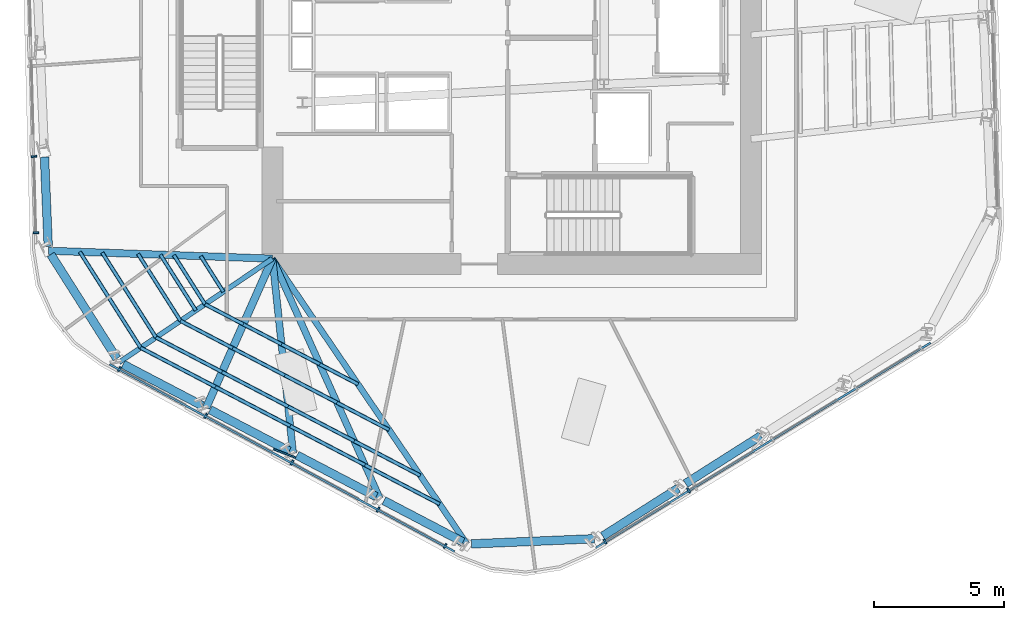
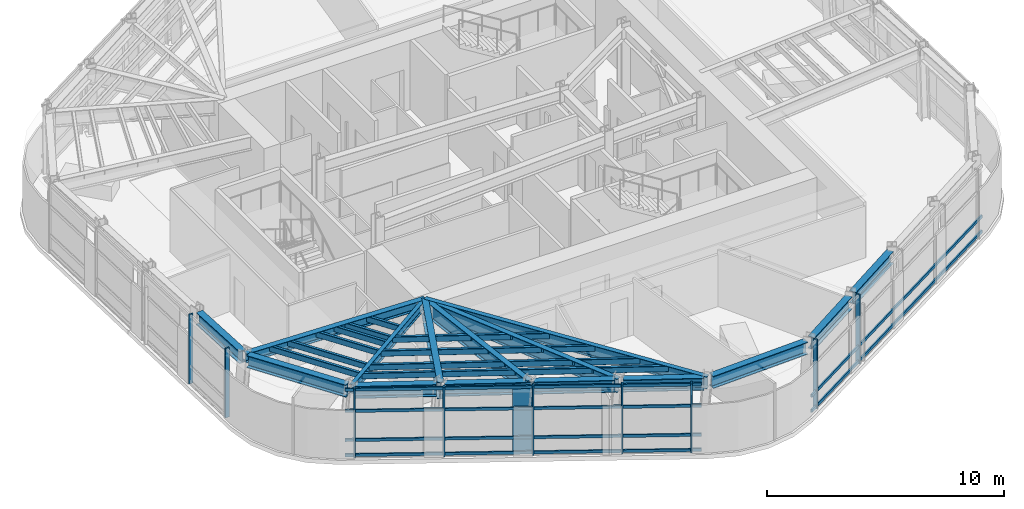
# One storey, part 2 of 15: 38 members, 15 beams, 3 elements without a shape of their own.
"""IFC4 building model written with IfcOpenShell, lengths in metres."""

from ifc_helpers import new_model, si_unit, direction, frame, origin, origin_2d, place, context, subcontext, project, spatial, rectangle, hollow_rectangle, i_section, extrude, material, layer, layer_set, material_profile, profile_set, type_object, element, aggregate, save


model = new_model("IFC4")

# Units and contexts
model_context = context("Model", 3, precision=1e-05, world=origin(), true_north=direction((0.0, 1.0)))
body_context = subcontext(model_context, "Body", "Model", "MODEL_VIEW")
ifc_project = project(units=[si_unit("LENGTHUNIT", "METRE"), si_unit("AREAUNIT", "SQUARE_METRE"), si_unit("VOLUMEUNIT", "CUBIC_METRE"), si_unit("PLANEANGLEUNIT", "RADIAN"), si_unit("MASSUNIT", "GRAM", prefix="KILO")], contexts=[model_context])

# Site, building, storey
site_placement = place(None, origin())
site = spatial("IfcSite", under=ifc_project, at=site_placement, CompositionType="ELEMENT")
building_placement = place(site_placement, origin())
building = spatial("IfcBuilding", under=site, at=building_placement, Name="Valkerne Bourse Tower", CompositionType="ELEMENT")
storey_placement = place(building_placement, frame((0.0, 0.0, 159.0)))
storey = spatial("IfcBuildingStorey", under=building, at=storey_placement, Name="L40", CompositionType="ELEMENT", Elevation=159.0)

# Beams
ifc_material_1 = material(Name="Steel ASTM A992", Category="steel")
ifc_material_profile_1 = material_profile(ifc_material_1, i_section(OverallWidth=0.1904296875, OverallDepth=0.457275390625, WebThickness=0.009033203125, FlangeThickness=0.014404296875, FilletRadius=0.01513671875, at=origin_2d()), Name="W18X50")
ifc_profile_set_1 = profile_set([ifc_material_profile_1], Name="Steel ASTM A992")
beam_type_1 = type_object("IfcBeamType", Name="BM-W18X50", PredefinedType="JOIST", material=ifc_profile_set_1)
beam_1_placement = place(storey_placement, frame((31.710693359375, 14.41552734375, 3.351318359375), z_axis=(0.828259510431, 0.560344700503, 0.0), x_axis=(-0.560344700503, 0.828259510431, 0.0)))
element("IfcBeam", 1, at=beam_1_placement, inside=storey, type_object=beam_type_1, Name="L40 Radial Composite Floor Beam 15", PredefinedType="JOIST", context=body_context, shape_type="SweptSolid", body=[
    extrude(i_section(OverallWidth=0.1904296875, OverallDepth=0.457275390625, WebThickness=0.009033203125, FlangeThickness=0.014404296875, FilletRadius=0.01513671875, at=origin_2d()), origin(), (0.0, 0.0, 1.0), 7.110595703125),
])
ifc_material_profile_2 = material_profile(ifc_material_1, i_section(OverallWidth=0.279296875, OverallDepth=0.46240234375, WebThickness=0.0107421875, FlangeThickness=0.017333984375, FilletRadius=0.017822265625, at=origin_2d()), Name="W18X76")
ifc_profile_set_2 = profile_set([ifc_material_profile_2], Name="Steel ASTM A992")
beam_type_2 = type_object("IfcBeamType", Name="BM-W18X76", PredefinedType="BEAM", material=ifc_profile_set_2)
beam_2_placement = place(storey_placement, frame((28.988525390625, 18.704833984375, 3.348876953125), z_axis=(0.999373671868, -0.035387342051, 0.0), x_axis=(0.035387342051, 0.999373671868, 0.0)))
element("IfcBeam", 2, at=beam_2_placement, inside=storey, type_object=beam_type_2, Name="L40 Radial Composite Floor Beam 14", PredefinedType="BEAM", context=body_context, shape_type="SweptSolid", body=[
    extrude(i_section(OverallWidth=0.279296875, OverallDepth=0.46240234375, WebThickness=0.0107421875, FlangeThickness=0.017333984375, FilletRadius=0.017822265625, at=origin_2d()), origin(), (0.0, 0.0, 1.0), 8.616943359375),
])
ifc_material_profile_3 = material_profile(ifc_material_1, i_section(OverallWidth=0.32763671875, OverallDepth=0.62744140625, WebThickness=0.0166015625, FlangeThickness=0.027587890625, FilletRadius=0.020263671875, at=origin_2d()), Name="W24X146")
ifc_profile_set_3 = profile_set([ifc_material_profile_3], Name="Steel ASTM A992")
beam_type_3 = type_object("IfcBeamType", Name="BM-W24X146", PredefinedType="SPANDREL", material=ifc_profile_set_3)
beam_3_placement = place(storey_placement, frame((28.837646484375, 22.302490234375, 3.266357421875), z_axis=(0.041914699614, -0.999121192827, 0.0), x_axis=(0.999121192827, 0.041914699614, 0.0)))
element("IfcBeam", 3, at=beam_3_placement, inside=storey, type_object=beam_type_3, Name="L40 Hexagonal Spandrel Ring Beam 13", PredefinedType="SPANDREL", context=body_context, shape_type="SweptSolid", body=[
    extrude(i_section(OverallWidth=0.32763671875, OverallDepth=0.62744140625, WebThickness=0.0166015625, FlangeThickness=0.027587890625, FilletRadius=0.020263671875, at=origin_2d()), origin(), (0.0, 0.0, 1.0), 3.4306640625),
])
beam_4_placement = place(storey_placement, frame((29.07958984375, 18.561279296875, 3.266357421875), z_axis=(0.535815260172, -0.844335245602, 0.0), x_axis=(0.844335245602, 0.535815260172, 0.0)))
element("IfcBeam", 4, at=beam_4_placement, inside=storey, type_object=beam_type_3, Name="L40 Hexagonal Spandrel Ring Beam 14", PredefinedType="SPANDREL", context=body_context, shape_type="SweptSolid", body=[
    extrude(i_section(OverallWidth=0.32763671875, OverallDepth=0.62744140625, WebThickness=0.0166015625, FlangeThickness=0.027587890625, FilletRadius=0.020263671875, at=origin_2d()), origin(), (0.0, 0.0, 1.0), 4.739990234375),
])
beam_5_placement = place(storey_placement, frame((31.861328125, 14.3369140625, 3.266357421875), z_axis=(0.88618228092, -0.463336772751, 0.0), x_axis=(0.463336772751, 0.88618228092, 0.0)))
element("IfcBeam", 5, at=beam_5_placement, inside=storey, type_object=beam_type_3, Name="L40 Hexagonal Spandrel Ring Beam 15", PredefinedType="SPANDREL", context=body_context, shape_type="SweptSolid", body=[
    extrude(i_section(OverallWidth=0.32763671875, OverallDepth=0.62744140625, WebThickness=0.0166015625, FlangeThickness=0.027587890625, FilletRadius=0.020263671875, at=origin_2d()), origin(), (0.0, 0.0, 1.0), 3.4306640625),
])
for number, where, z_axis, x_axis, name in (
    (6, (35.203125, 12.589599609375, 3.266357421875), (0.886226771893, -0.463251668944, 0.0), (0.463251668944, 0.886226771893, 0.0), "L40 Hexagonal Spandrel Ring Beam 16"),
    (7, (38.544921875, 10.842529296875, 3.266357421875), (0.886226771893, -0.463251668944, 0.0), (0.463251668944, 0.886226771893, 0.0), "L40 Hexagonal Spandrel Ring Beam 17"),
    (8, (41.886962890625, 9.095458984375, 3.266357421875), (0.886226771893, -0.463251668944, 0.0), (0.463251668944, 0.886226771893, 0.0), "L40 Hexagonal Spandrel Ring Beam 18"),
):
    element("IfcBeam", number, at=place(storey_placement, frame(where, z_axis=z_axis, x_axis=x_axis)), inside=storey, type_object=beam_type_3, Name=name, PredefinedType="SPANDREL", context=body_context, shape_type="SweptSolid", body=[
        extrude(i_section(OverallWidth=0.32763671875, OverallDepth=0.62744140625, WebThickness=0.0166015625, FlangeThickness=0.027587890625, FilletRadius=0.020263671875, at=origin_2d()), origin(), (0.0, 0.0, 1.0), 3.430908203125),
    ])
beam_6_placement = place(storey_placement, frame((45.248046875, 7.434326171875, 3.266357421875), z_axis=(0.999122866917, 0.041874775276, 0.0), x_axis=(-0.041874775276, 0.999122866917, 0.0)))
element("IfcBeam", 9, at=beam_6_placement, inside=storey, type_object=beam_type_3, Name="L40 Hexagonal Spandrel Ring Beam 19", PredefinedType="SPANDREL", context=body_context, shape_type="SweptSolid", body=[
    extrude(i_section(OverallWidth=0.32763671875, OverallDepth=0.62744140625, WebThickness=0.0166015625, FlangeThickness=0.027587890625, FilletRadius=0.020263671875, at=origin_2d()), origin(), (0.0, 0.0, 1.0), 4.739990234375),
])
for number, where, z_axis, x_axis, name in (
    (10, (50.297119140625, 7.731201171875, 3.266357421875), (0.84434056338, 0.535806880351, 0.0), (-0.535806880351, 0.84434056338, 0.0), "L40 Hexagonal Spandrel Ring Beam 20"),
    (11, (53.481201171875, 9.751708984375, 3.266357421875), (0.84434056338, 0.535806880351, 0.0), (-0.535806880351, 0.84434056338, 0.0), "L40 Hexagonal Spandrel Ring Beam 21"),
):
    element("IfcBeam", number, at=place(storey_placement, frame(where, z_axis=z_axis, x_axis=x_axis)), inside=storey, type_object=beam_type_3, Name=name, PredefinedType="SPANDREL", context=body_context, shape_type="SweptSolid", body=[
        extrude(i_section(OverallWidth=0.32763671875, OverallDepth=0.62744140625, WebThickness=0.0166015625, FlangeThickness=0.027587890625, FilletRadius=0.020263671875, at=origin_2d()), origin(), (0.0, 0.0, 1.0), 3.43115234375),
    ])
ifc_material_profile_4 = material_profile(ifc_material_1, i_section(OverallWidth=0.228271484375, OverallDepth=0.607177734375, WebThickness=0.01123046875, FlangeThickness=0.017333984375, FilletRadius=0.017822265625, at=origin_2d()), Name="W24X76")
ifc_profile_set_4 = profile_set([ifc_material_profile_4], Name="Steel ASTM A992")
beam_type_4 = type_object("IfcBeamType", Name="BM-W24X76", PredefinedType="JOIST", material=ifc_profile_set_4)
beam_7_placement = place(storey_placement, frame((45.078125, 7.42724609375, 3.276611328125), z_axis=(-0.563165658628, 0.826344020939, 0.0), x_axis=(-0.826344020939, -0.563165658628, 0.0)))
element("IfcBeam", 12, at=beam_7_placement, inside=storey, type_object=beam_type_4, Name="L40 Radial Composite Floor Beam 19", PredefinedType="JOIST", context=body_context, shape_type="SweptSolid", body=[
    extrude(i_section(OverallWidth=0.228271484375, OverallDepth=0.607177734375, WebThickness=0.01123046875, FlangeThickness=0.017333984375, FilletRadius=0.017822265625, at=origin_2d()), origin(), (0.0, 0.0, 1.0), 13.278564453125),
])
ifc_material_profile_5 = material_profile(ifc_material_1, i_section(OverallWidth=0.255859375, OverallDepth=0.693359375, WebThickness=0.014404296875, FlangeThickness=0.023681640625, FilletRadius=0.02294921875, at=origin_2d()), Name="W27X114")
ifc_profile_set_5 = profile_set([ifc_material_profile_5], Name="Steel ASTM A992")
beam_type_5 = type_object("IfcBeamType", Name="BM-W27X114", PredefinedType="BEAM", material=ifc_profile_set_5)
beam_8_placement = place(storey_placement, frame((41.736083984375, 9.17431640625, 3.2333984375), z_axis=(-0.409087104665, 0.912495337411, 0.0), x_axis=(-0.912495337411, -0.409087104665, 0.0)))
element("IfcBeam", 13, at=beam_8_placement, inside=storey, type_object=beam_type_5, Name="L40 Radial Composite Floor Beam 18", PredefinedType="BEAM", context=body_context, shape_type="SweptSolid", body=[
    extrude(i_section(OverallWidth=0.255859375, OverallDepth=0.693359375, WebThickness=0.014404296875, FlangeThickness=0.023681640625, FilletRadius=0.02294921875, at=origin_2d()), origin(), (0.0, 0.0, 1.0), 10.1103515625),
])
ifc_material_profile_6 = material_profile(ifc_material_1, i_section(OverallWidth=0.26806640625, OverallDepth=0.76953125, WebThickness=0.015625, FlangeThickness=0.025390625, FilletRadius=0.025390625, at=origin_2d()), Name="W30X132")
ifc_profile_set_6 = profile_set([ifc_material_profile_6], Name="Steel ASTM A992")
beam_type_6 = type_object("IfcBeamType", Name="BM-W30X132", PredefinedType="BEAM", material=ifc_profile_set_6)
beam_9_placement = place(storey_placement, frame((38.394287109375, 10.92138671875, 3.1953125), z_axis=(-0.105602332796, 0.994408440887, 0.0), x_axis=(-0.994408440887, -0.105602332796, 0.0)))
element("IfcBeam", 14, at=beam_9_placement, inside=storey, type_object=beam_type_6, Name="L40 Radial Composite Floor Beam 17", PredefinedType="BEAM", context=body_context, shape_type="SweptSolid", body=[
    extrude(i_section(OverallWidth=0.26806640625, OverallDepth=0.76953125, WebThickness=0.015625, FlangeThickness=0.025390625, FilletRadius=0.025390625, at=origin_2d()), origin(), (0.0, 0.0, 1.0), 7.5205078125),
])
ifc_material_profile_7 = material_profile(ifc_material_1, i_section(OverallWidth=0.2919921875, OverallDepth=0.8583984375, WebThickness=0.01708984375, FlangeThickness=0.031005859375, FilletRadius=0.025390625, at=origin_2d()), Name="W33X169")
ifc_profile_set_7 = profile_set([ifc_material_profile_7], Name="Steel ASTM A992")
beam_type_7 = type_object("IfcBeamType", Name="BM-W33X169", PredefinedType="BEAM", material=ifc_profile_set_7)
beam_10_placement = place(storey_placement, frame((35.052490234375, 12.66845703125, 3.15087890625), z_axis=(0.406178192838, 0.913793891237, 0.0), x_axis=(-0.913793891237, 0.406178192838, 0.0)))
element("IfcBeam", 15, at=beam_10_placement, inside=storey, type_object=beam_type_7, Name="L40 Radial Composite Floor Beam 16", PredefinedType="BEAM", context=body_context, shape_type="SweptSolid", body=[
    extrude(i_section(OverallWidth=0.2919921875, OverallDepth=0.8583984375, WebThickness=0.01708984375, FlangeThickness=0.031005859375, FilletRadius=0.025390625, at=origin_2d()), origin(), (0.0, 0.0, 1.0), 6.272216796875),
])

# Curtain wall, members
ifc_material_2 = material(Name="Aluminium AA 6063-T6", Category="aluminium")
ifc_layer = layer(ifc_material_2, 0.235107421875)
ifc_layer_set = layer_set([ifc_layer], Name="Aluminium AA 6063-T6")
curtain_wall_type = type_object("IfcCurtainWallType", Name="CW-03", PredefinedType="NOTDEFINED", material=ifc_layer_set)
curtain_wall_1_placement = place(storey_placement, origin())
curtain_wall_1 = element("IfcCurtainWall", 16, at=curtain_wall_1_placement, inside=storey, type_object=curtain_wall_type, Name="L40 Hexagonal Stick Curtain Wall Face 3", PredefinedType="NOTDEFINED")
ifc_material_profile_8 = material_profile(ifc_material_2, rectangle(XDim=0.074951171875, YDim=0.199951171875, at=origin_2d()), Name="CWM-75X200")
ifc_profile_set_8 = profile_set([ifc_material_profile_8], Name="Aluminium AA 6063-T6")
member_type_1 = type_object("IfcMemberType", Name="CW-MUL-220X75", PredefinedType="MULLION", material=ifc_profile_set_8)
member_1_placement = place(storey_placement, frame((28.432861328125, 22.32666015625, 0.0), z_axis=(0.0, 0.0, 1.0), x_axis=(0.026173485138, -0.999657415656, 0.0)))
member_1 = element("IfcMember", 17, at=member_1_placement, type_object=member_type_1, Name="CW-L40-F3 Jamb Mullion 03A", PredefinedType="MULLION", context=body_context, shape_type="SweptSolid", body=[
    extrude(rectangle(XDim=0.074951171875, YDim=0.199951171875, at=origin_2d()), origin(), (0.0, 0.0, 1.0), 3.580078125),
])
member_2_placement = place(storey_placement, frame((28.509521484375, 19.396728515625, 0.0), z_axis=(0.0, 0.0, 1.0), x_axis=(0.026173485138, -0.999657415656, 0.0)))
member_2 = element("IfcMember", 18, at=member_2_placement, type_object=member_type_1, Name="CW-L40-F3 Jamb Mullion 03B", PredefinedType="MULLION", context=body_context, shape_type="SweptSolid", body=[
    extrude(rectangle(XDim=0.074951171875, YDim=0.199951171875, at=origin_2d()), origin(), (0.0, 0.0, 1.0), 3.580078125),
])
aggregate(curtain_wall_1, [member_1, member_2])

curtain_wall_2_placement = place(storey_placement, origin())
curtain_wall_2 = element("IfcCurtainWall", 19, at=curtain_wall_2_placement, inside=storey, type_object=curtain_wall_type, Name="L40 Hexagonal Stick Curtain Wall Face 4", PredefinedType="NOTDEFINED")
member_3_placement = place(storey_placement, frame((31.7216796875, 14.15478515625, 0.0), z_axis=(0.0, 0.0, 1.0), x_axis=(0.878823249644, -0.477147457171, 0.0)))
member_3 = element("IfcMember", 20, at=member_3_placement, type_object=member_type_1, Name="CW-L40-F4 Jamb Mullion 00A", PredefinedType="MULLION", context=body_context, shape_type="SweptSolid", body=[
    extrude(rectangle(XDim=0.074951171875, YDim=0.199951171875, at=origin_2d()), origin(), (0.0, 0.0, 1.0), 3.580078125),
])
member_4_placement = place(storey_placement, frame((35.03564453125, 12.355712890625, 0.0), z_axis=(0.0, 0.0, 1.0), x_axis=(0.878812129585, -0.477167937831, 0.0)))
member_4 = element("IfcMember", 21, at=member_4_placement, type_object=member_type_1, Name="CW-L40-F4 Jamb Mullion 01A", PredefinedType="MULLION", context=body_context, shape_type="SweptSolid", body=[
    extrude(rectangle(XDim=0.074951171875, YDim=0.199951171875, at=origin_2d()), origin(), (0.0, 0.0, 1.0), 3.580078125),
])
member_5_placement = place(storey_placement, frame((38.349609375, 10.55615234375, 0.0), z_axis=(0.0, 0.0, 1.0), x_axis=(0.878823249644, -0.477147457171, 0.0)))
member_5 = element("IfcMember", 22, at=member_5_placement, type_object=member_type_1, Name="CW-L40-F4 Jamb Mullion 02A", PredefinedType="MULLION", context=body_context, shape_type="SweptSolid", body=[
    extrude(rectangle(XDim=0.074951171875, YDim=0.199951171875, at=origin_2d()), origin(), (0.0, 0.0, 1.0), 3.580078125),
])
member_6_placement = place(storey_placement, frame((41.663818359375, 8.7568359375, 0.0), z_axis=(0.0, 0.0, 1.0), x_axis=(0.878812129585, -0.477167937831, 0.0)))
member_6 = element("IfcMember", 23, at=member_6_placement, type_object=member_type_1, Name="CW-L40-F4 Jamb Mullion 03A", PredefinedType="MULLION", context=body_context, shape_type="SweptSolid", body=[
    extrude(rectangle(XDim=0.074951171875, YDim=0.199951171875, at=origin_2d()), origin(), (0.0, 0.0, 1.0), 3.580078125),
])
member_7_placement = place(storey_placement, frame((44.239501953125, 7.3583984375, 0.0), z_axis=(0.0, 0.0, 1.0), x_axis=(0.878812129585, -0.477167937831, 0.0)))
member_7 = element("IfcMember", 24, at=member_7_placement, type_object=member_type_1, Name="CW-L40-F4 Jamb Mullion 03B", PredefinedType="MULLION", context=body_context, shape_type="SweptSolid", body=[
    extrude(rectangle(XDim=0.074951171875, YDim=0.199951171875, at=origin_2d()), origin(), (0.0, 0.0, 1.0), 3.580078125),
])

curtain_wall_3_placement = place(storey_placement, origin())
curtain_wall_3 = element("IfcCurtainWall", 25, at=curtain_wall_3_placement, inside=storey, type_object=curtain_wall_type, Name="L40 Hexagonal Stick Curtain Wall Face 5", PredefinedType="NOTDEFINED")
member_8_placement = place(storey_placement, frame((50.385009765625, 7.519287109375, 0.0), z_axis=(0.0, 0.0, 1.0), x_axis=(0.852644697846, 0.522491166657, 0.0)))
member_8 = element("IfcMember", 26, at=member_8_placement, type_object=member_type_1, Name="CW-L40-F5 Jamb Mullion 00A", PredefinedType="MULLION", context=body_context, shape_type="SweptSolid", body=[
    extrude(rectangle(XDim=0.074951171875, YDim=0.199951171875, at=origin_2d()), origin(), (0.0, 0.0, 1.0), 3.580078125),
])
member_9_placement = place(storey_placement, frame((53.600341796875, 9.489501953125, 0.0), z_axis=(0.0, 0.0, 1.0), x_axis=(0.85263288388, 0.522510445184, 0.0)))
member_9 = element("IfcMember", 27, at=member_9_placement, type_object=member_type_1, Name="CW-L40-F5 Jamb Mullion 01A", PredefinedType="MULLION", context=body_context, shape_type="SweptSolid", body=[
    extrude(rectangle(XDim=0.074951171875, YDim=0.199951171875, at=origin_2d()), origin(), (0.0, 0.0, 1.0), 3.580078125),
])

# Member
ifc_material_profile_9 = material_profile(ifc_material_2, rectangle(XDim=0.074951171875, YDim=0.14990234375, at=origin_2d()), Name="CWT-75X150")
ifc_profile_set_9 = profile_set([ifc_material_profile_9], Name="Aluminium AA 6063-T6")
member_type_2 = type_object("IfcMemberType", Name="CW-TRN-180X65", PredefinedType="USERDEFINED", material=ifc_profile_set_9)
member_10_placement = place(storey_placement, frame((31.343017578125, 14.337646484375, 0.1201171875), z_axis=(0.878822987704, -0.477147939619, 0.0), x_axis=(0.477147939619, 0.878822987704, 0.0)))
member_10 = element("IfcMember", 28, at=member_10_placement, type_object=member_type_2, Name="CW-L40-F4 Continuous Face Transom 1", ObjectType="TRANSOM", PredefinedType="USERDEFINED", context=body_context, shape_type="SweptSolid", body=[
    extrude(rectangle(XDim=0.074951171875, YDim=0.14990234375, at=origin_2d()), origin(), (0.0, 0.0, 1.0), 15.083984375),
])

member_11_placement = place(storey_placement, frame((31.343017578125, 14.337646484375, 0.89990234375), z_axis=(0.878822987704, -0.477147939619, 0.0), x_axis=(0.477147939619, 0.878822987704, 0.0)))
member_11 = element("IfcMember", 29, at=member_11_placement, type_object=member_type_2, Name="CW-L40-F4 Continuous Face Transom 2", ObjectType="TRANSOM", PredefinedType="USERDEFINED", context=body_context, shape_type="SweptSolid", body=[
    extrude(rectangle(XDim=0.074951171875, YDim=0.14990234375, at=origin_2d()), origin(), (0.0, 0.0, 1.0), 15.083984375),
])

member_12_placement = place(storey_placement, frame((31.343017578125, 14.337646484375, 2.39990234375), z_axis=(0.878822987704, -0.477147939619, 0.0), x_axis=(0.477147939619, 0.878822987704, 0.0)))
member_12 = element("IfcMember", 30, at=member_12_placement, type_object=member_type_2, Name="CW-L40-F4 Continuous Face Transom 3", ObjectType="TRANSOM", PredefinedType="USERDEFINED", context=body_context, shape_type="SweptSolid", body=[
    extrude(rectangle(XDim=0.074951171875, YDim=0.14990234375, at=origin_2d()), origin(), (0.0, 0.0, 1.0), 15.083984375),
])

member_13_placement = place(storey_placement, frame((31.343017578125, 14.337646484375, 3.5), z_axis=(0.878822987704, -0.477147939619, 0.0), x_axis=(0.477147939619, 0.878822987704, 0.0)))
member_13 = element("IfcMember", 31, at=member_13_placement, type_object=member_type_2, Name="CW-L40-F4 Continuous Face Transom 4", ObjectType="TRANSOM", PredefinedType="USERDEFINED", context=body_context, shape_type="SweptSolid", body=[
    extrude(rectangle(XDim=0.074951171875, YDim=0.14990234375, at=origin_2d()), origin(), (0.0, 0.0, 1.0), 15.083984375),
])

aggregate(curtain_wall_2, [member_10, member_11, member_12, member_13, member_3, member_4, member_5, member_6, member_7])

member_14_placement = place(storey_placement, frame((50.037353515625, 7.28271484375, 0.1201171875), z_axis=(0.852638237058, 0.522501709765, 0.0), x_axis=(-0.522501709765, 0.852638237058, 0.0)))
member_14 = element("IfcMember", 32, at=member_14_placement, type_object=member_type_2, Name="CW-L40-F5 Continuous Face Transom 1", ObjectType="TRANSOM", PredefinedType="USERDEFINED", context=body_context, shape_type="SweptSolid", body=[
    extrude(rectangle(XDim=0.074951171875, YDim=0.14990234375, at=origin_2d()), origin(), (0.0, 0.0, 1.0), 15.083984375),
])

member_15_placement = place(storey_placement, frame((50.037353515625, 7.28271484375, 0.89990234375), z_axis=(0.852638237058, 0.522501709765, 0.0), x_axis=(-0.522501709765, 0.852638237058, 0.0)))
member_15 = element("IfcMember", 33, at=member_15_placement, type_object=member_type_2, Name="CW-L40-F5 Continuous Face Transom 2", ObjectType="TRANSOM", PredefinedType="USERDEFINED", context=body_context, shape_type="SweptSolid", body=[
    extrude(rectangle(XDim=0.074951171875, YDim=0.14990234375, at=origin_2d()), origin(), (0.0, 0.0, 1.0), 15.083984375),
])

aggregate(curtain_wall_3, [member_14, member_15, member_8, member_9])

# Members
ifc_material_3 = material(Name="Bronze Anodised Aluminium AA 6063-T6", Category="aluminium")
ifc_material_profile_10 = material_profile(ifc_material_3, rectangle(XDim=0.070068359375, YDim=0.89990234375, at=origin_2d()), Name="FIN-70X900")
ifc_profile_set_10 = profile_set([ifc_material_profile_10], Name="Bronze Anodised Aluminium AA 6063-T6")
member_type_3 = type_object("IfcMemberType", Name="FIN-SOLAR-900", PredefinedType="USERDEFINED", material=ifc_profile_set_10)
member_16_placement = place(storey_placement, frame((38.06640625, 10.914794921875, 0.00390625), z_axis=(0.0, 0.0, 1.0), x_axis=(-0.361366311924, -0.932423931807, 0.0)))
element("IfcMember", 34, at=member_16_placement, inside=storey, type_object=member_type_3, Name="L40 Bronze Anodised Solar Fin F4-02", ObjectType="SOLAR_FIN", PredefinedType="USERDEFINED", context=body_context, shape_type="SweptSolid", body=[
    extrude(rectangle(XDim=0.070068359375, YDim=0.89990234375, at=origin_2d()), origin(), (0.0, 0.0, 1.0), 3.572021484375),
])
ifc_material_4 = material(Name="Steel ASTM A500 Grade C", Category="steel")
ifc_material_profile_11 = material_profile(ifc_material_4, hollow_rectangle(XDim=0.14990234375, YDim=0.300048828125, WallThickness=0.012451171875, OuterFilletRadius=0.02490234375, at=origin_2d()), Name="HSS300X150X12.5")
ifc_profile_set_11 = profile_set([ifc_material_profile_11], Name="Steel ASTM A500 Grade C")
member_type_4 = type_object("IfcMemberType", Name="MBR-HSS300X150X12.5", PredefinedType="PURLIN", material=ifc_profile_set_11)
member_17_placement = place(storey_placement, frame((34.84423828125, 18.49755859375, 3.419921875), z_axis=(0.535845028554, -0.844316353848, 0.0), x_axis=(0.844316353848, 0.535845028554, 0.0)))
element("IfcMember", 35, at=member_17_placement, inside=storey, type_object=member_type_4, Name="L40 Secondary Composite Floor Purlin I-14", PredefinedType="PURLIN", context=body_context, shape_type="SweptSolid", body=[
    extrude(hollow_rectangle(XDim=0.14990234375, YDim=0.300048828125, WallThickness=0.012451171875, OuterFilletRadius=0.02490234375, at=origin_2d()), origin(), (0.0, 0.0, 1.0), 1.625732421875),
])
member_18_placement = place(storey_placement, frame((33.810791015625, 18.5341796875, 3.419921875), z_axis=(0.535935237341, -0.844259096117, 0.0), x_axis=(0.844259096117, 0.535935237341, 0.0)))
element("IfcMember", 36, at=member_18_placement, inside=storey, type_object=member_type_4, Name="L40 Secondary Composite Floor Purlin K-14", PredefinedType="PURLIN", context=body_context, shape_type="SweptSolid", body=[
    extrude(hollow_rectangle(XDim=0.14990234375, YDim=0.300048828125, WallThickness=0.012451171875, OuterFilletRadius=0.02490234375, at=origin_2d()), origin(), (0.0, 0.0, 1.0), 2.2353515625),
])
member_19_placement = place(storey_placement, frame((35.0087890625, 16.64697265625, 3.419921875), z_axis=(0.88615678262, -0.463385537773, 0.0), x_axis=(0.463385537773, 0.88615678262, 0.0)))
element("IfcMember", 37, at=member_19_placement, inside=storey, type_object=member_type_4, Name="L40 Secondary Composite Floor Purlin K-15", PredefinedType="PURLIN", context=body_context, shape_type="SweptSolid", body=[
    extrude(hollow_rectangle(XDim=0.14990234375, YDim=0.300048828125, WallThickness=0.012451171875, OuterFilletRadius=0.02490234375, at=origin_2d()), origin(), (0.0, 0.0, 1.0), 1.6591796875),
])
member_20_placement = place(storey_placement, frame((36.47900390625, 15.878173828125, 3.419921875), z_axis=(0.886188374089, -0.463325118713, 0.0), x_axis=(0.463325118713, 0.886188374089, 0.0)))
element("IfcMember", 38, at=member_20_placement, inside=storey, type_object=member_type_4, Name="L40 Secondary Composite Floor Purlin K-16", PredefinedType="PURLIN", context=body_context, shape_type="SweptSolid", body=[
    extrude(hollow_rectangle(XDim=0.14990234375, YDim=0.300048828125, WallThickness=0.012451171875, OuterFilletRadius=0.02490234375, at=origin_2d()), origin(), (0.0, 0.0, 1.0), 1.659423828125),
])
member_21_placement = place(storey_placement, frame((37.949462890625, 15.109375, 3.419921875), z_axis=(0.886248782932, -0.463209558139, 0.0), x_axis=(0.463209558139, 0.886248782932, 0.0)))
element("IfcMember", 39, at=member_21_placement, inside=storey, type_object=member_type_4, Name="L40 Secondary Composite Floor Purlin K-17", PredefinedType="PURLIN", context=body_context, shape_type="SweptSolid", body=[
    extrude(hollow_rectangle(XDim=0.14990234375, YDim=0.300048828125, WallThickness=0.012451171875, OuterFilletRadius=0.02490234375, at=origin_2d()), origin(), (0.0, 0.0, 1.0), 1.6591796875),
])
member_22_placement = place(storey_placement, frame((39.419921875, 14.3408203125, 3.419921875), z_axis=(0.886188374089, -0.463325118713, 0.0), x_axis=(0.463325118713, 0.886188374089, 0.0)))
element("IfcMember", 40, at=member_22_placement, inside=storey, type_object=member_type_4, Name="L40 Secondary Composite Floor Purlin K-18", PredefinedType="PURLIN", context=body_context, shape_type="SweptSolid", body=[
    extrude(hollow_rectangle(XDim=0.14990234375, YDim=0.300048828125, WallThickness=0.012451171875, OuterFilletRadius=0.02490234375, at=origin_2d()), origin(), (0.0, 0.0, 1.0), 1.659423828125),
])
member_23_placement = place(storey_placement, frame((33.294189453125, 18.552490234375, 3.419921875), z_axis=(0.535817851575, -0.844333601092, 0.0), x_axis=(0.844333601092, 0.535817851575, 0.0)))
element("IfcMember", 41, at=member_23_placement, inside=storey, type_object=member_type_4, Name="L40 Secondary Composite Floor Purlin M-14", PredefinedType="PURLIN", context=body_context, shape_type="SweptSolid", body=[
    extrude(hollow_rectangle(XDim=0.14990234375, YDim=0.300048828125, WallThickness=0.012451171875, OuterFilletRadius=0.02490234375, at=origin_2d()), origin(), (0.0, 0.0, 1.0), 2.540283203125),
])
member_24_placement = place(storey_placement, frame((31.055419921875, 18.631591796875, 3.419921875), z_axis=(0.53580710071, -0.844340423543, 0.0), x_axis=(0.844340423543, 0.53580710071, 0.0)))
element("IfcMember", 42, at=member_24_placement, inside=storey, type_object=member_type_4, Name="L40 Secondary Composite Floor Purlin O-14", PredefinedType="PURLIN", context=body_context, shape_type="SweptSolid", body=[
    extrude(hollow_rectangle(XDim=0.14990234375, YDim=0.300048828125, WallThickness=0.012451171875, OuterFilletRadius=0.02490234375, at=origin_2d()), origin(), (0.0, 0.0, 1.0), 3.86083984375),
])
for number, where, z_axis, x_axis, name in (
    (43, (33.1240234375, 15.371826171875, 3.419921875), (0.886223059344, -0.463258771192, 0.0), (0.463258771192, 0.886223059344, 0.0), "L40 Secondary Composite Floor Purlin O-15"),
    (44, (35.663818359375, 14.044189453125, 3.419921875), (0.886188083729, -0.463325674075, 0.0), (0.463325674075, 0.886188083729, 0.0), "L40 Secondary Composite Floor Purlin O-16"),
    (45, (38.20361328125, 12.71630859375, 3.419921875), (0.886188083729, -0.463325674075, 0.0), (0.463325674075, 0.886188083729, 0.0), "L40 Secondary Composite Floor Purlin O-17"),
    (46, (40.743408203125, 11.388427734375, 3.419921875), (0.886241339613, -0.463223799002, 0.0), (0.463223799002, 0.886241339613, 0.0), "L40 Secondary Composite Floor Purlin O-18"),
):
    element("IfcMember", number, at=place(storey_placement, frame(where, z_axis=z_axis, x_axis=x_axis)), inside=storey, type_object=member_type_4, Name=name, PredefinedType="PURLIN", context=body_context, shape_type="SweptSolid", body=[
        extrude(hollow_rectangle(XDim=0.14990234375, YDim=0.300048828125, WallThickness=0.012451171875, OuterFilletRadius=0.02490234375, at=origin_2d()), origin(), (0.0, 0.0, 1.0), 2.865966796875),
    ])
member_25_placement = place(storey_placement, frame((32.43310546875, 18.5830078125, 3.419921875), z_axis=(0.535854088036, -0.844310604183, 0.0), x_axis=(0.844310604183, 0.535854088036, 0.0)))
element("IfcMember", 47, at=member_25_placement, inside=storey, type_object=member_type_4, Name="L40 Secondary Composite Floor Purlin Z-14", PredefinedType="PURLIN", context=body_context, shape_type="SweptSolid", body=[
    extrude(hollow_rectangle(XDim=0.14990234375, YDim=0.300048828125, WallThickness=0.012451171875, OuterFilletRadius=0.02490234375, at=origin_2d()), origin(), (0.0, 0.0, 1.0), 3.048095703125),
])
member_26_placement = place(storey_placement, frame((34.06640625, 16.009521484375, 3.419921875), z_axis=(0.886165023784, -0.463369777415, 0.0), x_axis=(0.463369777415, 0.886165023784, 0.0)))
element("IfcMember", 48, at=member_26_placement, inside=storey, type_object=member_type_4, Name="L40 Secondary Composite Floor Purlin Z-15", PredefinedType="PURLIN", context=body_context, shape_type="SweptSolid", body=[
    extrude(hollow_rectangle(XDim=0.14990234375, YDim=0.300048828125, WallThickness=0.012451171875, OuterFilletRadius=0.02490234375, at=origin_2d()), origin(), (0.0, 0.0, 1.0), 2.262451171875),
])
member_27_placement = place(storey_placement, frame((36.0712890625, 14.961181640625, 3.419921875), z_axis=(0.886211349964, -0.463281170775, 0.0), x_axis=(0.463281170775, 0.886211349964, 0.0)))
element("IfcMember", 49, at=member_27_placement, inside=storey, type_object=member_type_4, Name="L40 Secondary Composite Floor Purlin Z-16", PredefinedType="PURLIN", context=body_context, shape_type="SweptSolid", body=[
    extrude(hollow_rectangle(XDim=0.14990234375, YDim=0.300048828125, WallThickness=0.012451171875, OuterFilletRadius=0.02490234375, at=origin_2d()), origin(), (0.0, 0.0, 1.0), 2.262939453125),
])
member_28_placement = place(storey_placement, frame((38.07666015625, 13.912841796875, 3.419921875), z_axis=(0.886188190197, -0.463325470438, 0.0), x_axis=(0.463325470438, 0.886188190197, 0.0)))
element("IfcMember", 50, at=member_28_placement, inside=storey, type_object=member_type_4, Name="L40 Secondary Composite Floor Purlin Z-17", PredefinedType="PURLIN", context=body_context, shape_type="SweptSolid", body=[
    extrude(hollow_rectangle(XDim=0.14990234375, YDim=0.300048828125, WallThickness=0.012451171875, OuterFilletRadius=0.02490234375, at=origin_2d()), origin(), (0.0, 0.0, 1.0), 2.2626953125),
])
member_29_placement = place(storey_placement, frame((40.081787109375, 12.864501953125, 3.419921875), z_axis=(0.886232491679, -0.463240726504, 0.0), x_axis=(0.463240726504, 0.886232491679, 0.0)))
element("IfcMember", 51, at=member_29_placement, inside=storey, type_object=member_type_4, Name="L40 Secondary Composite Floor Purlin Z-18", PredefinedType="PURLIN", context=body_context, shape_type="SweptSolid", body=[
    extrude(hollow_rectangle(XDim=0.14990234375, YDim=0.300048828125, WallThickness=0.012451171875, OuterFilletRadius=0.02490234375, at=origin_2d()), origin(), (0.0, 0.0, 1.0), 2.262451171875),
])
member_30_placement = place(storey_placement, frame((30.194091796875, 18.662109375, 3.419921875), z_axis=(0.53584818881, -0.844314348184, 0.0), x_axis=(0.844314348184, 0.53584818881, 0.0)))
element("IfcMember", 52, at=member_30_placement, inside=storey, type_object=member_type_4, Name="L40 Secondary Composite Floor Purlin T-14", PredefinedType="PURLIN", context=body_context, shape_type="SweptSolid", body=[
    extrude(hollow_rectangle(XDim=0.14990234375, YDim=0.300048828125, WallThickness=0.012451171875, OuterFilletRadius=0.02490234375, at=origin_2d()), origin(), (0.0, 0.0, 1.0), 4.368896484375),
])
for number, where, z_axis, x_axis, name in (
    (53, (32.53515625, 14.973388671875, 3.419921875), (0.886211395118, -0.4632810844, 0.0), (0.4632810844, 0.886211395118, 0.0), "L40 Secondary Composite Floor Purlin T-15"),
    (54, (35.4091796875, 13.470947265625, 3.419921875), (0.886211395118, -0.4632810844, 0.0), (0.4632810844, 0.886211395118, 0.0), "L40 Secondary Composite Floor Purlin T-16"),
):
    element("IfcMember", number, at=place(storey_placement, frame(where, z_axis=z_axis, x_axis=x_axis)), inside=storey, type_object=member_type_4, Name=name, PredefinedType="PURLIN", context=body_context, shape_type="SweptSolid", body=[
        extrude(hollow_rectangle(XDim=0.14990234375, YDim=0.300048828125, WallThickness=0.012451171875, OuterFilletRadius=0.02490234375, at=origin_2d()), origin(), (0.0, 0.0, 1.0), 3.2431640625),
    ])
member_31_placement = place(storey_placement, frame((38.283203125, 11.968505859375, 3.419921875), z_axis=(0.886164323607, -0.463371116456, 0.0), x_axis=(0.463371116456, 0.886164323607, 0.0)))
element("IfcMember", 55, at=member_31_placement, inside=storey, type_object=member_type_4, Name="L40 Secondary Composite Floor Purlin T-17", PredefinedType="PURLIN", context=body_context, shape_type="SweptSolid", body=[
    extrude(hollow_rectangle(XDim=0.14990234375, YDim=0.300048828125, WallThickness=0.012451171875, OuterFilletRadius=0.02490234375, at=origin_2d()), origin(), (0.0, 0.0, 1.0), 3.242919921875),
])
member_32_placement = place(storey_placement, frame((41.156982421875, 10.4658203125, 3.419921875), z_axis=(0.886227551078, -0.463250178317, 0.0), x_axis=(0.463250178317, 0.886227551078, 0.0)))
element("IfcMember", 56, at=member_32_placement, inside=storey, type_object=member_type_4, Name="L40 Secondary Composite Floor Purlin T-18", PredefinedType="PURLIN", context=body_context, shape_type="SweptSolid", body=[
    extrude(hollow_rectangle(XDim=0.14990234375, YDim=0.300048828125, WallThickness=0.012451171875, OuterFilletRadius=0.02490234375, at=origin_2d()), origin(), (0.0, 0.0, 1.0), 3.2431640625),
])

save(model, "model.ifc")
